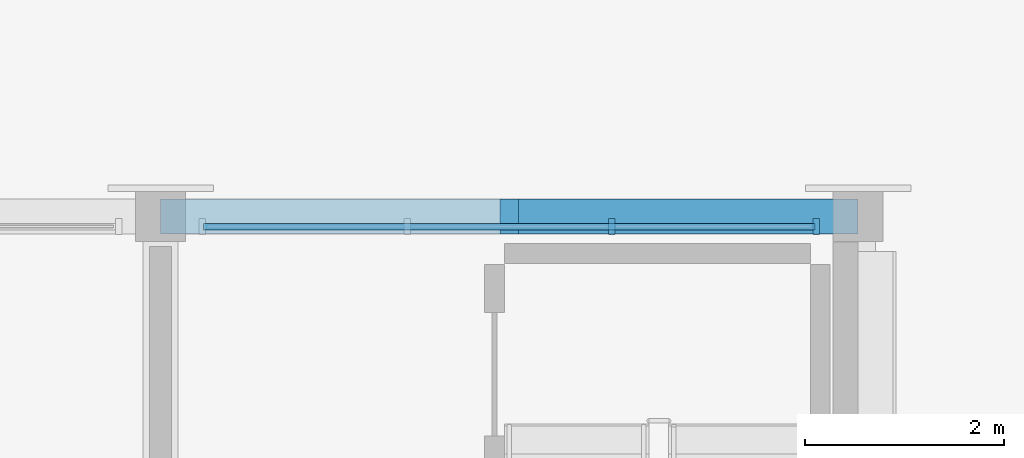
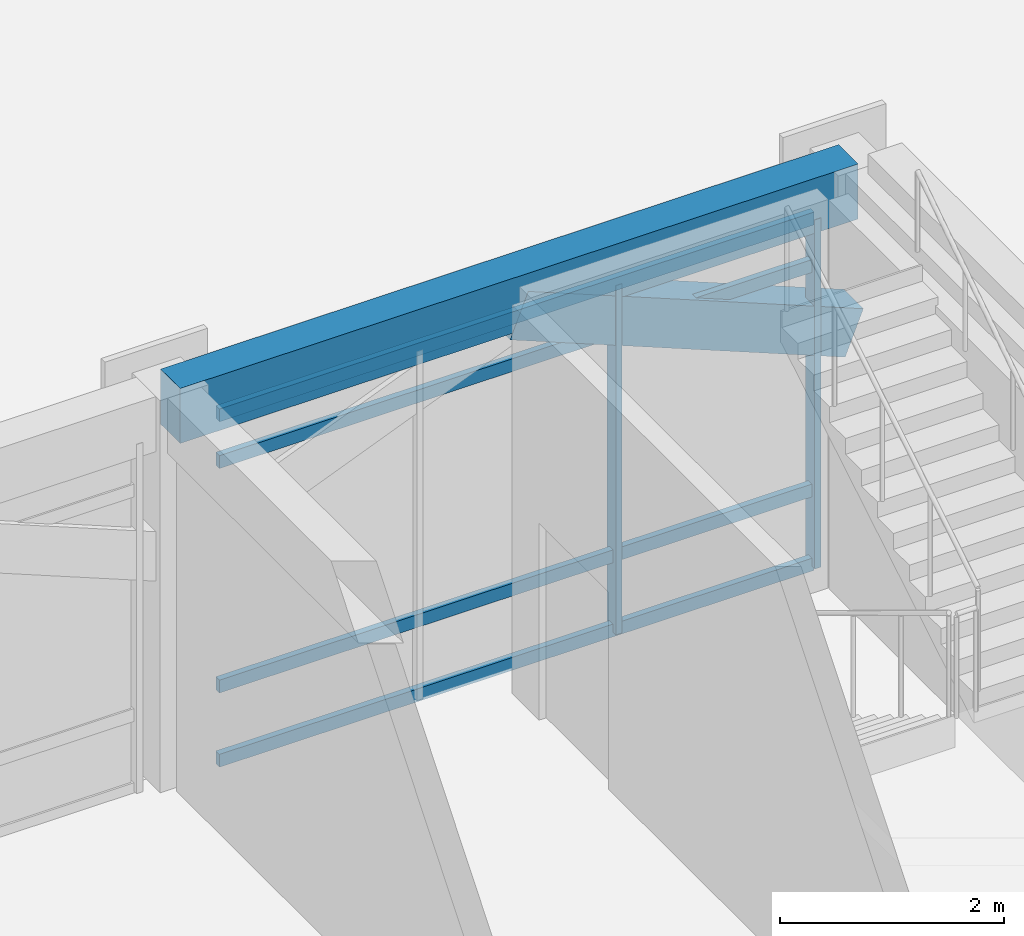
# One storey, part 32 of 135: 6 members, 2 beams, 1 element without a shape of its own.
"""IFC4 building model written with IfcOpenShell, lengths in metres."""

from ifc_helpers import new_model, si_unit, direction, frame, origin, origin_2d, place, context, subcontext, project, spatial, rectangle, extrude, material, material_profile, profile_set, type_object, element, aggregate, save


model = new_model("IFC4")

# Units and contexts
model_context = context("Model", 3, precision=1e-05, world=origin(), true_north=direction((0.0, 1.0)))
body_context = subcontext(model_context, "Body", "Model", "MODEL_VIEW")
ifc_project = project(units=[si_unit("LENGTHUNIT", "METRE"), si_unit("AREAUNIT", "SQUARE_METRE"), si_unit("VOLUMEUNIT", "CUBIC_METRE"), si_unit("PLANEANGLEUNIT", "RADIAN"), si_unit("MASSUNIT", "GRAM", prefix="KILO")], contexts=[model_context])

# Site, building, storey
site_placement = place(None, origin())
site = spatial("IfcSite", under=ifc_project, at=site_placement, CompositionType="ELEMENT")
building_placement = place(site_placement, origin())
building = spatial("IfcBuilding", under=site, at=building_placement, Name="Kiranvali Square Residences", CompositionType="ELEMENT")
storey_placement = place(building_placement, origin())
storey = spatial("IfcBuildingStorey", under=building, at=storey_placement, Name="L00", CompositionType="ELEMENT", Elevation=0.0)

# Beams
ifc_material_1 = material(Name="Concrete M40 (40 MPa)", Category="concrete")
ifc_material_profile_1 = material_profile(ifc_material_1, rectangle(XDim=0.35009765625, YDim=0.5, at=origin_2d()), Name="RC 350x500")
ifc_profile_set_1 = profile_set([ifc_material_profile_1], Name="Concrete M40 (40 MPa)")
beam_type_1 = type_object("IfcBeamType", Name="AR-M40-350x500", PredefinedType="USERDEFINED", material=ifc_profile_set_1)
beam_1_placement = place(storey_placement, frame((126.5, 64.0, 3.85009765625), z_axis=(0.926976058065, 0.0, -0.375120497672), x_axis=(0.0, 1.0, 0.0)))
element("IfcBeam", 1, at=beam_1_placement, inside=storey, type_object=beam_type_1, Name="Classical pointed Ottoman arch rib ARCH-RT-S3-3.2", ObjectType="ARCH RIB", PredefinedType="USERDEFINED", context=body_context, shape_type="SweptSolid", body=[
    extrude(rectangle(XDim=0.35009765625, YDim=0.5, at=origin_2d()), origin(), (0.0, 0.0, 1.0), 3.732421875),
])
ifc_material_profile_2 = material_profile(ifc_material_1, rectangle(XDim=0.35009765625, YDim=0.60009765625, at=origin_2d()), Name="RC 350x600")
ifc_profile_set_2 = profile_set([ifc_material_profile_2], Name="Concrete M40 (40 MPa)")
beam_type_2 = type_object("IfcBeamType", Name="BM-M40-350x600", PredefinedType="BEAM", material=ifc_profile_set_2)
beam_2_placement = place(storey_placement, frame((123.0, 64.0, 3.97998046875), z_axis=(1.0, 0.0, 0.0), x_axis=(0.0, 1.0, 0.0)))
element("IfcBeam", 2, at=beam_2_placement, inside=storey, type_object=beam_type_2, Name="L00 beam BM-RT-L00-X3-3", PredefinedType="BEAM", context=body_context, shape_type="SweptSolid", body=[
    extrude(rectangle(XDim=0.35009765625, YDim=0.60009765625, at=origin_2d()), origin(), (0.0, 0.0, 1.0), 7.0),
])

# Curtain wall, members
ifc_material_2 = material(Name="Anodised bronze aluminium framing", Category="aluminium")
curtain_wall_type = type_object("IfcCurtainWallType", Name="CW-PAV-GLZ", PredefinedType="USERDEFINED", material=ifc_material_2)
curtain_wall_placement = place(storey_placement, origin())
curtain_wall = element("IfcCurtainWall", 3, at=curtain_wall_placement, inside=storey, type_object=curtain_wall_type, Name="Southeast Square Retail Pavilion north arcade curtain wall 4", ObjectType="CURTAIN WALL", PredefinedType="USERDEFINED")
ifc_material_profile_3 = material_profile(ifc_material_2, rectangle(XDim=0.06494140625, YDim=0.159912109375, at=origin_2d()), Name="ALU 65x160")
ifc_profile_set_3 = profile_set([ifc_material_profile_3], Name="Anodised bronze aluminium framing")
member_type_1 = type_object("IfcMemberType", Name="CW-MUL-160", PredefinedType="MULLION", material=ifc_profile_set_3)
member_1_placement = place(storey_placement, frame((127.526611328125, 63.89990234375, 0.02001953125), z_axis=(0.0, 0.0, 1.0), x_axis=(1.0, 0.0, 0.0)))
member_1 = element("IfcMember", 4, at=member_1_placement, type_object=member_type_1, Name="CW-RT-N0-3 vertical mullion 3", PredefinedType="MULLION", context=body_context, shape_type="SweptSolid", body=[
    extrude(rectangle(XDim=0.06494140625, YDim=0.159912109375, at=origin_2d()), origin(), (0.0, 0.0, 1.0), 3.81005859375),
])
member_2_placement = place(storey_placement, frame((129.580078125, 63.89990234375, 0.02001953125), z_axis=(0.0, 0.0, 1.0), x_axis=(1.0, 0.0, 0.0)))
member_2 = element("IfcMember", 5, at=member_2_placement, type_object=member_type_1, Name="CW-RT-N0-3 vertical mullion 4", PredefinedType="MULLION", context=body_context, shape_type="SweptSolid", body=[
    extrude(rectangle(XDim=0.06494140625, YDim=0.159912109375, at=origin_2d()), origin(), (0.0, 0.0, 1.0), 3.81005859375),
])
ifc_material_profile_4 = material_profile(ifc_material_2, rectangle(XDim=0.06494140625, YDim=0.139892578125, at=origin_2d()), Name="ALU 65x140")
ifc_profile_set_4 = profile_set([ifc_material_profile_4], Name="Anodised bronze aluminium framing")
member_type_2 = type_object("IfcMemberType", Name="CW-TRN-140", PredefinedType="MULLION", material=ifc_profile_set_4)
member_3_placement = place(storey_placement, frame((123.429931640625, 63.89990234375, 0.0400390625), z_axis=(1.0, 0.0, 0.0), x_axis=(0.0, 1.0, 0.0)))
member_3 = element("IfcMember", 6, at=member_3_placement, type_object=member_type_2, Name="CW-RT-N0-3 horizontal transom 1", PredefinedType="MULLION", context=body_context, shape_type="SweptSolid", body=[
    extrude(rectangle(XDim=0.06494140625, YDim=0.139892578125, at=origin_2d()), origin(), (0.0, 0.0, 1.0), 6.14013671875),
])
member_4_placement = place(storey_placement, frame((123.429931640625, 63.89990234375, 0.85009765625), z_axis=(1.0, 0.0, 0.0), x_axis=(0.0, 1.0, 0.0)))
member_4 = element("IfcMember", 7, at=member_4_placement, type_object=member_type_2, Name="CW-RT-N0-3 horizontal transom 2", PredefinedType="MULLION", context=body_context, shape_type="SweptSolid", body=[
    extrude(rectangle(XDim=0.06494140625, YDim=0.139892578125, at=origin_2d()), origin(), (0.0, 0.0, 1.0), 6.14013671875),
])
member_5_placement = place(storey_placement, frame((123.429931640625, 63.89990234375, 3.300048828125), z_axis=(1.0, 0.0, 0.0), x_axis=(0.0, 1.0, 0.0)))
member_5 = element("IfcMember", 8, at=member_5_placement, type_object=member_type_2, Name="CW-RT-N0-3 horizontal transom 3", PredefinedType="MULLION", context=body_context, shape_type="SweptSolid", body=[
    extrude(rectangle(XDim=0.06494140625, YDim=0.139892578125, at=origin_2d()), origin(), (0.0, 0.0, 1.0), 6.14013671875),
])
member_6_placement = place(storey_placement, frame((123.429931640625, 63.89990234375, 3.81005859375), z_axis=(1.0, 0.0, 0.0), x_axis=(0.0, 1.0, 0.0)))
member_6 = element("IfcMember", 9, at=member_6_placement, type_object=member_type_2, Name="CW-RT-N0-3 horizontal transom 4", PredefinedType="MULLION", context=body_context, shape_type="SweptSolid", body=[
    extrude(rectangle(XDim=0.06494140625, YDim=0.139892578125, at=origin_2d()), origin(), (0.0, 0.0, 1.0), 6.14013671875),
])
aggregate(curtain_wall, [member_1, member_2, member_3, member_4, member_5, member_6])

save(model, "model.ifc")
